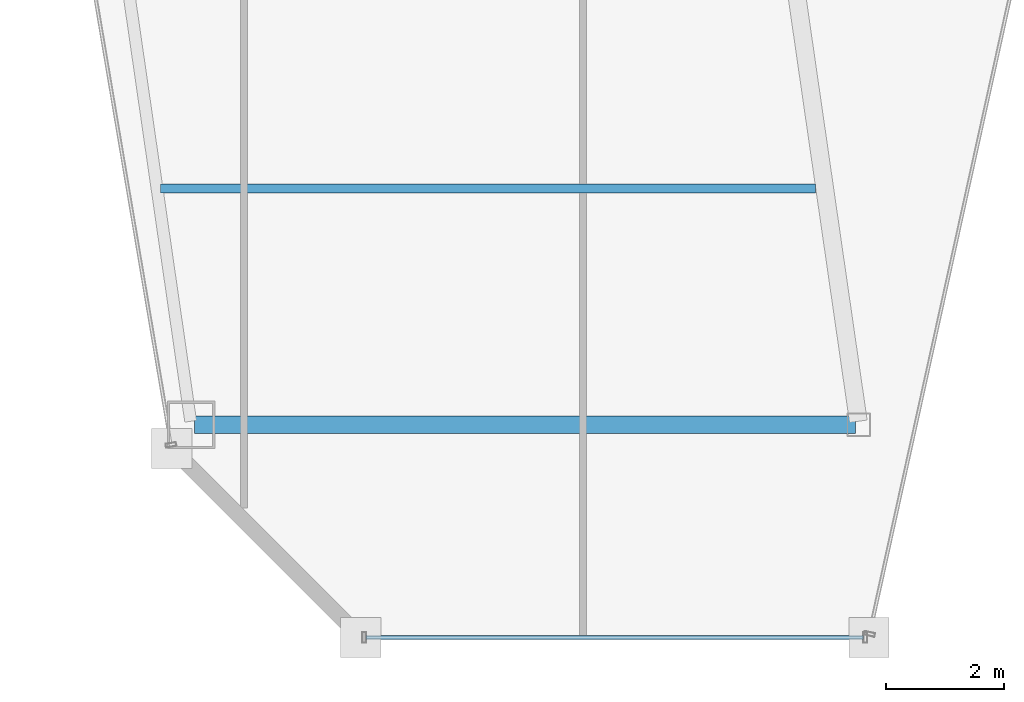
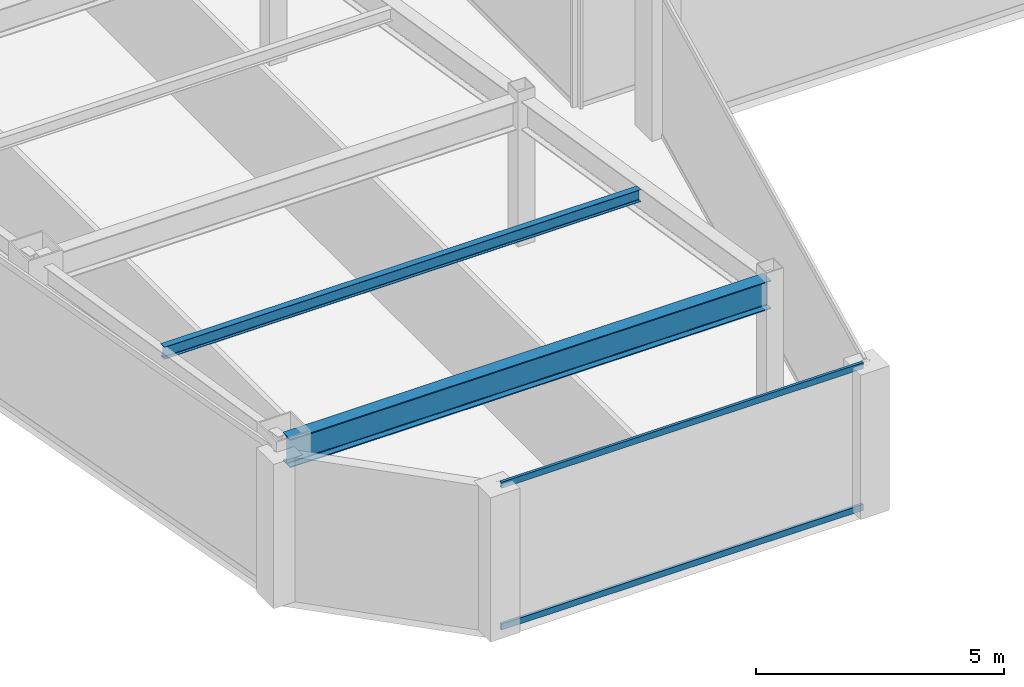
# One storey, part 4 of 36: 2 beams, 2 members, 1 element without a shape of its own.
"""IFC4 building model written with IfcOpenShell, lengths in metres."""

from ifc_helpers import new_model, si_unit, direction, frame, origin, origin_2d, place, context, subcontext, project, spatial, hollow_rectangle, i_section, extrude, material, material_profile, profile_set, type_object, element, aggregate, save


model = new_model("IFC4")

# Units and contexts
model_context = context("Model", 3, precision=1e-05, world=origin(), true_north=direction((0.0, 1.0)))
body_context = subcontext(model_context, "Body", "Model", "MODEL_VIEW")
ifc_project = project(units=[si_unit("LENGTHUNIT", "METRE"), si_unit("AREAUNIT", "SQUARE_METRE"), si_unit("VOLUMEUNIT", "CUBIC_METRE"), si_unit("PLANEANGLEUNIT", "RADIAN"), si_unit("MASSUNIT", "GRAM", prefix="KILO")], contexts=[model_context])

# Site, building, storey
site_placement = place(None, origin())
site = spatial("IfcSite", under=ifc_project, at=site_placement, CompositionType="ELEMENT")
building_placement = place(site_placement, origin())
building = spatial("IfcBuilding", under=site, at=building_placement, Name="Saevonmaru Cultural Tower", CompositionType="ELEMENT")
storey_placement = place(building_placement, frame((0.0, 0.0, 209.39990234375)))
storey = spatial("IfcBuildingStorey", under=building, at=storey_placement, Name="L48", CompositionType="ELEMENT", Elevation=209.39990234375)

# Beams
ifc_material_1 = material(Name="Steel SM355", Category="steel")
ifc_material_profile_1 = material_profile(ifc_material_1, i_section(OverallWidth=0.300048828125, OverallDepth=0.699951171875, WebThickness=0.012939453125, FlangeThickness=0.02392578125, FilletRadius=0.02587890625, at=origin_2d()), Name="H-700x300x13x24")
ifc_profile_set_1 = profile_set([ifc_material_profile_1], Name="Steel SM355")
beam_type_1 = type_object("IfcBeamType", Name="BM-G-H700", PredefinedType="BEAM", material=ifc_profile_set_1)
beam_1_placement = place(storey_placement, frame((10.68798828125, 16.0, 3.2001953125), z_axis=(1.0, 0.0, 0.0), x_axis=(0.0, 1.0, 0.0)))
element("IfcBeam", 1, at=beam_1_placement, inside=storey, type_object=beam_type_1, Name="L48 West Wing Transverse Girder 1", PredefinedType="BEAM", context=body_context, shape_type="SweptSolid", body=[
    extrude(i_section(OverallWidth=0.300048828125, OverallDepth=0.699951171875, WebThickness=0.012939453125, FlangeThickness=0.02392578125, FilletRadius=0.02587890625, at=origin_2d()), origin(), (0.0, 0.0, 1.0), 11.179931640625),
])
ifc_material_profile_2 = material_profile(ifc_material_1, i_section(OverallWidth=0.14990234375, OverallDepth=0.300048828125, WebThickness=0.006591796875, FlangeThickness=0.009033203125, FilletRadius=0.012939453125, at=origin_2d()), Name="H-300x150x6.5x9")
ifc_profile_set_2 = profile_set([ifc_material_profile_2], Name="Steel SM355")
beam_type_2 = type_object("IfcBeamType", Name="BM-J-H300", PredefinedType="JOIST", material=ifc_profile_set_2)
beam_2_placement = place(storey_placement, frame((10.110107421875, 20.0, 3.400146484375), z_axis=(1.0, 0.0, 0.0), x_axis=(0.0, 1.0, 0.0)))
element("IfcBeam", 2, at=beam_2_placement, inside=storey, type_object=beam_type_2, Name="L48 West Wing Floor Joist 1", PredefinedType="JOIST", context=body_context, shape_type="SweptSolid", body=[
    extrude(i_section(OverallWidth=0.14990234375, OverallDepth=0.300048828125, WebThickness=0.006591796875, FlangeThickness=0.009033203125, FilletRadius=0.012939453125, at=origin_2d()), origin(), (0.0, 0.0, 1.0), 11.081787109375),
])

# Curtain wall, members
ifc_material_2 = material(Name="Satin Bronze Anodised Aluminium", Category="aluminium")
curtain_wall_type = type_object("IfcCurtainWallType", Name="CW-TYP-B", PredefinedType="NOTDEFINED", material=ifc_material_2)
curtain_wall_placement = place(storey_placement, origin())
curtain_wall = element("IfcCurtainWall", 3, at=curtain_wall_placement, inside=storey, type_object=curtain_wall_type, Name="L48 Unitised Curtain Wall E2", PredefinedType="NOTDEFINED")
ifc_material_profile_3 = material_profile(ifc_material_2, hollow_rectangle(XDim=0.06494140625, YDim=0.14990234375, WallThickness=0.00390625, at=origin_2d()), Name="ALU-TRAN-150x65x4")
ifc_profile_set_3 = profile_set([ifc_material_profile_3], Name="Satin Bronze Anodised Aluminium")
member_type = type_object("IfcMemberType", Name="TR-CW-150x65", PredefinedType="USERDEFINED", material=ifc_profile_set_3)
member_1_placement = place(storey_placement, frame((13.59033203125, 12.39990234375, 0.03271484375), z_axis=(1.0, 0.0, 0.0), x_axis=(0.0, 1.0, 0.0)))
member_1 = element("IfcMember", 4, at=member_1_placement, type_object=member_type, Name="CW-TW-L48-E2 transom 1.1", ObjectType="TRANSOM", PredefinedType="USERDEFINED", context=body_context, shape_type="SweptSolid", body=[
    extrude(hollow_rectangle(XDim=0.06494140625, YDim=0.14990234375, WallThickness=0.00390625, at=origin_2d()), origin(), (0.0, 0.0, 1.0), 8.4150390625),
])
member_2_placement = place(storey_placement, frame((13.59033203125, 12.39990234375, 3.517578125), z_axis=(1.0, 0.0, 0.0), x_axis=(0.0, 1.0, 0.0)))
member_2 = element("IfcMember", 5, at=member_2_placement, type_object=member_type, Name="CW-TW-L48-E2 transom 1.2", ObjectType="TRANSOM", PredefinedType="USERDEFINED", context=body_context, shape_type="SweptSolid", body=[
    extrude(hollow_rectangle(XDim=0.06494140625, YDim=0.14990234375, WallThickness=0.00390625, at=origin_2d()), origin(), (0.0, 0.0, 1.0), 8.4150390625),
])
aggregate(curtain_wall, [member_1, member_2])

save(model, "model.ifc")
